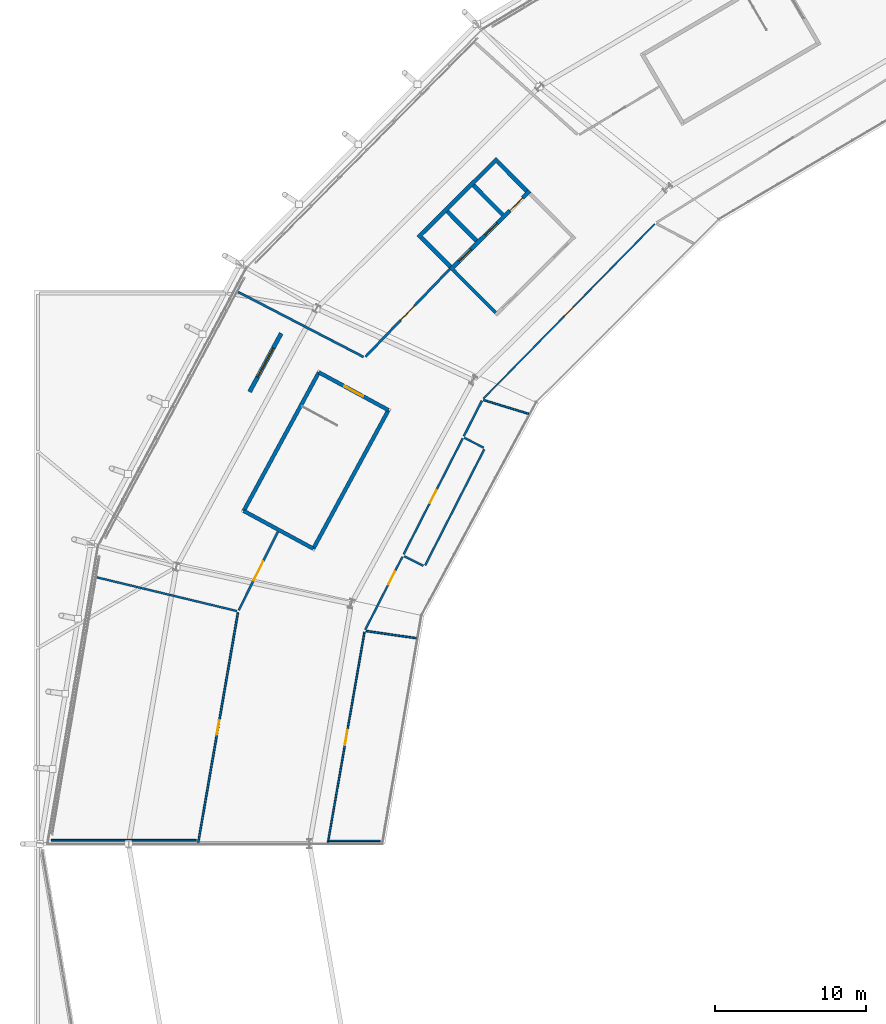
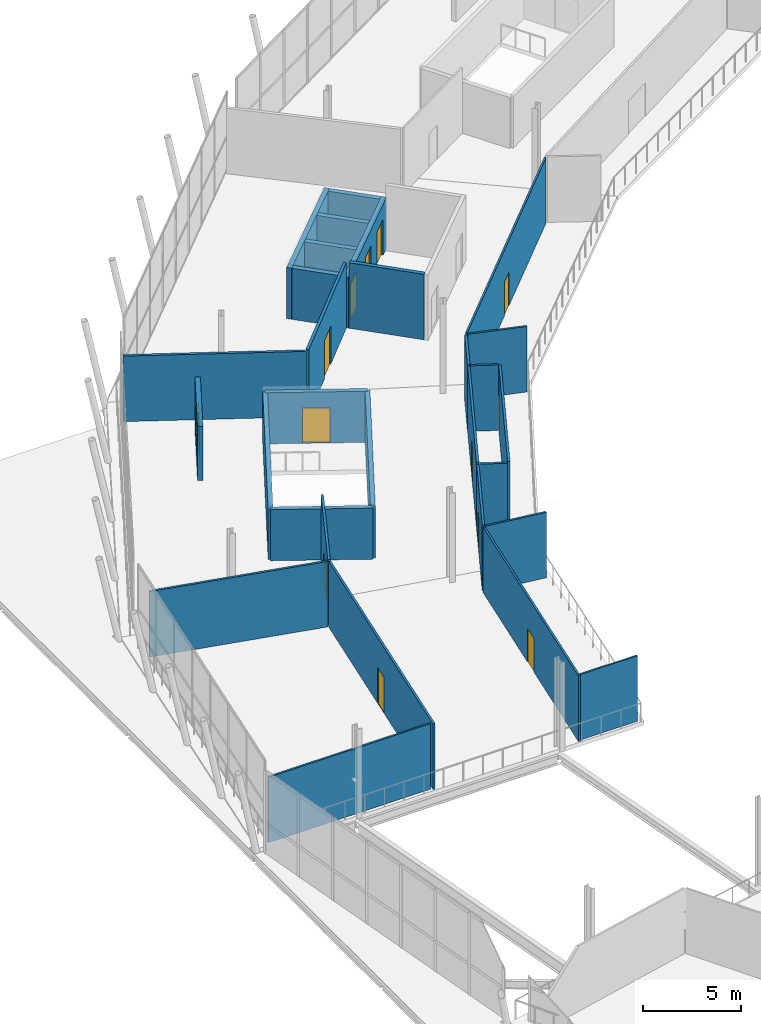
# One storey, part 85 of 99: 29 walls, 11 doors, 1 window, 12 openings.
"""IFC4 building model written with IfcOpenShell, lengths in metres."""

from ifc_helpers import new_model, si_unit, direction, frame, frame_2d, origin, place, context, subcontext, project, spatial, rectangle, extrude, material, layer, layer_set, type_object, element, fill, save


model = new_model("IFC4")

# Units and contexts
model_context = context("Model", 3, precision=1e-05, world=origin(), true_north=direction((0.0, 1.0)))
body_context = subcontext(model_context, "Body", "Model", "MODEL_VIEW")
ifc_project = project(units=[si_unit("LENGTHUNIT", "METRE"), si_unit("AREAUNIT", "SQUARE_METRE"), si_unit("VOLUMEUNIT", "CUBIC_METRE"), si_unit("PLANEANGLEUNIT", "RADIAN"), si_unit("MASSUNIT", "GRAM", prefix="KILO")], contexts=[model_context])

# Site, building, storey
site_placement = place(None, origin())
site = spatial("IfcSite", under=ifc_project, at=site_placement, CompositionType="ELEMENT")
building_placement = place(site_placement, origin())
building = spatial("IfcBuilding", under=site, at=building_placement, Name="Zlatoyarsky Gate Stadium", CompositionType="ELEMENT")
storey_placement = place(building_placement, frame((0.0, 0.0, 26.199951171875)))
storey = spatial("IfcBuildingStorey", under=building, at=storey_placement, Name="L05", CompositionType="ELEMENT", Elevation=26.199951171875)

# Walls
ifc_material_1 = material(Name="Anodised aluminium acoustic operable wall", Category="aluminium")
ifc_layer_1 = layer(ifc_material_1, 0.114990234375)
ifc_layer_set_1 = layer_set([ifc_layer_1], Name="Anodised aluminium acoustic operable wall")
wall_type_1 = type_object("IfcWallType", Name="ACOUSTIC OPERABLE SUITE WALL 115", PredefinedType="MOVABLE", material=ifc_layer_set_1)
wall_1_placement = place(storey_placement, frame((44.51806640625, 108.5224609375, 0.0), z_axis=(0.0, 0.0, 1.0), x_axis=(-0.95606504964, 0.293154602313, 0.0)))
element("IfcWall", 1, at=wall_1_placement, inside=storey, type_object=wall_type_1, Name="L05 interior partition PRT-L05-IRD-10", PredefinedType="MOVABLE", context=body_context, shape_type="SweptSolid", body=[
    extrude(rectangle(XDim=3.11376953125, YDim=0.114990234375, at=frame_2d((1.556884765625, 0.0))), origin(), (0.0, 0.0, 1.0), 4.10009765625),
])
ifc_material_2 = material(Name="Moisture-resistant masonry partition", Category="masonry")
ifc_layer_2 = layer(ifc_material_2, 0.139892578125)
ifc_layer_set_2 = layer_set([ifc_layer_2], Name="Moisture-resistant masonry partition")
wall_type_2 = type_object("IfcWallType", Name="ATHLETE CHANGING BLOCK PARTITION 140", PredefinedType="PARTITIONING", material=ifc_layer_set_2)
wall_2_placement = place(storey_placement, frame((41.421142578125, 109.384521484375, 0.0), z_axis=(0.0, 0.0, 1.0), x_axis=(-0.45373665461, -0.891135819201, 0.0)))
element("IfcWall", 2, at=wall_2_placement, inside=storey, type_object=wall_type_2, Name="L05 interior partition PRT-L05-WCL-10", PredefinedType="PARTITIONING", context=body_context, shape_type="SweptSolid", body=[
    extrude(rectangle(XDim=2.630126953125, YDim=0.139892578125, at=frame_2d((1.31494140625, 0.0))), origin(), (0.0, 0.0, 1.0), 4.10009765625),
])

# Wall, opening, door
wall_3_placement = place(storey_placement, frame((27.89794921875, 100.7060546875, 0.0), z_axis=(0.0, 0.0, 1.0), x_axis=(-0.44637403409, -0.894846479397, 0.0)))
wall_3 = element("IfcWall", 3, at=wall_3_placement, inside=storey, type_object=wall_type_2, Name="L05 interior partition PRT-L05-OCC-10-1", PredefinedType="PARTITIONING", context=body_context, shape_type="SweptSolid", body=[
    extrude(rectangle(XDim=5.8173828125, YDim=0.139892578125, at=frame_2d((2.90869140625, 0.0))), origin(), (0.0, 0.0, 1.0), 4.10009765625),
])
opening_1_placement = place(wall_3_placement, frame((2.188720703125, 0.0, 0.0)))
opening_1 = element("IfcOpeningElement", 4, at=opening_1_placement, cuts=wall_3, Name="Opening D-L05-683", PredefinedType="OPENING", context=body_context, shape_type="SweptSolid", body=[
    extrude(rectangle(XDim=1.43994140625, YDim=2.10009765625, at=frame_2d((0.719970703125, 1.050048828125))), frame((0.0, 0.079833984375, 0.0), z_axis=(0.0, -1.0, 0.0), x_axis=(1.0, 0.0, 0.0)), (0.0, 0.0, 1.0), 0.159912109375),
])
ifc_material_3 = material(Name="Powder-coated steel fire door", Category="steel")
door_type_1 = type_object("IfcDoorType", Name="ACOUSTIC INTERIOR DOOR 1440X2100", OperationType="NOTDEFINED", PredefinedType="DOOR", material=ifc_material_3)
door_1_placement = place(opening_1_placement, origin())
door_1 = element("IfcDoor", 5, at=door_1_placement, inside=storey, type_object=door_type_1, Name="L05 room door D-L05-683", OperationType="SINGLE_SWING_LEFT", OverallHeight=2.10009765625, OverallWidth=1.43994140625, PredefinedType="DOOR", context=body_context, shape_type="SweptSolid", body=[
    extrude(rectangle(XDim=1.43994140625, YDim=2.10009765625, at=frame_2d((0.719970703125, 1.050048828125))), frame((0.0, 0.02490234375, 0.0), z_axis=(0.0, -1.0, 0.0), x_axis=(1.0, 0.0, 0.0)), (0.0, 0.0, 1.0), 0.050048828125),
])
fill(opening_1, door_1)

# Walls
ifc_material_4 = material(Name="Metal-stud gypsum partition", Category="gypsum")
ifc_layer_3 = layer(ifc_material_4, 0.14990234375)
ifc_layer_set_3 = layer_set([ifc_layer_3], Name="Metal-stud gypsum partition")
wall_type_3 = type_object("IfcWallType", Name="CONCOURSE CORRIDOR PARTITION 150", PredefinedType="PARTITIONING", material=ifc_layer_set_3)
wall_4_placement = place(storey_placement, frame((33.580078125, 112.289306640625, 0.0), z_axis=(0.0, 0.0, 1.0), x_axis=(-0.887845749373, 0.460141201502, 0.0)))
element("IfcWall", 6, at=wall_4_placement, inside=storey, type_object=wall_type_3, Name="L05 interior partition PRT-L05-ORD-09R", PredefinedType="PARTITIONING", context=body_context, shape_type="SweptSolid", body=[
    extrude(rectangle(XDim=9.355712890625, YDim=0.14990234375, at=frame_2d((4.677734375, 0.0))), origin(), (0.0, 0.0, 1.0), 4.10009765625),
])
ifc_material_5 = material(Name="Concrete C40/50", Category="concrete")
ifc_layer_4 = layer(ifc_material_5, 0.27001953125)
ifc_layer_set_4 = layer_set([ifc_layer_4], Name="Concrete C40/50")
wall_type_4 = type_object("IfcWallType", Name="CONCRETE LIFT SHAFT SHEAR WALL 270", PredefinedType="SHEAR", material=ifc_layer_set_4)
wall_5_placement = place(storey_placement, frame((42.452880859375, 125.443603515625, 0.0), z_axis=(0.0, 0.0, 1.0), x_axis=(-0.708902567846, -0.705306422274, 0.0)))
element("IfcWall", 7, at=wall_5_placement, inside=storey, type_object=wall_type_4, Name="C2 L05 lift shaft rear wall", PredefinedType="SHEAR", context=body_context, shape_type="SweptSolid", body=[
    extrude(rectangle(XDim=7.39990234375, YDim=0.27001953125, at=frame_2d((3.699951171875, 0.0))), origin(), (0.0, 0.0, 1.0), 3.199951171875),
])
for number, where, z_axis, x_axis, name in (
    (8, (42.45947265625, 125.24560546875, 0.0), (0.0, 0.0, 1.0), (0.705322518225, -0.708886553183, 0.0), "C2 L05 lift shaft left wall"),
    (9, (37.405029296875, 120.216796875, 0.0), (0.0, 0.0, 1.0), (0.705322518225, -0.708886553183, 0.0), "C2 L05 lift shaft right wall"),
    (10, (40.87158203125, 123.665771484375, 0.0), (0.0, 0.0, 1.0), (0.705322518225, -0.708886553183, 0.0), "C2 L05 lift shaft divider 1"),
    (11, (39.134765625, 121.937744140625, 0.0), (0.0, 0.0, 1.0), (0.705322518225, -0.708886553183, 0.0), "C2 L05 lift shaft divider 2"),
):
    element("IfcWall", number, at=place(storey_placement, frame(where, z_axis=z_axis, x_axis=x_axis)), inside=storey, type_object=wall_type_4, Name=name, PredefinedType="SHEAR", context=body_context, shape_type="SweptSolid", body=[
        extrude(rectangle(XDim=2.739990234375, YDim=0.27001953125, at=frame_2d((1.3701171875, 0.0))), origin(), (0.0, 0.0, 1.0), 3.199951171875),
    ])

# Wall, openings, doors
wall_6_placement = place(storey_placement, frame((44.590087890625, 123.295654296875, 0.0), z_axis=(0.0, 0.0, 1.0), x_axis=(-0.708918979457, -0.705289926602, 0.0)))
wall_6 = element("IfcWall", 12, at=wall_6_placement, inside=storey, type_object=wall_type_4, Name="C2 L05 lift landing front wall", PredefinedType="SHEAR", context=body_context, shape_type="SweptSolid", body=[
    extrude(rectangle(XDim=7.400146484375, YDim=0.27001953125, at=frame_2d((3.7001953125, 0.0))), origin(), (0.0, 0.0, 1.0), 3.199951171875),
])
opening_2_placement = place(wall_6_placement, frame((0.64990234375, 0.0, 0.0)))
opening_2 = element("IfcOpeningElement", 13, at=opening_2_placement, cuts=wall_6, Name="Opening LD-FL-02-L05", PredefinedType="OPENING", context=body_context, shape_type="SweptSolid", body=[
    extrude(rectangle(XDim=1.199951171875, YDim=2.25, at=frame_2d((0.60009765625, 1.125))), frame((0.0, 0.14501953125, 0.0), z_axis=(0.0, -1.0, 0.0), x_axis=(1.0, 0.0, 0.0)), (0.0, 0.0, 1.0), 0.2900390625),
])
opening_3_placement = place(wall_6_placement, frame((3.050048828125, 0.0, 0.0)))
opening_3 = element("IfcOpeningElement", 14, at=opening_3_placement, cuts=wall_6, Name="Opening LD-LF-03-L05", PredefinedType="OPENING", context=body_context, shape_type="SweptSolid", body=[
    extrude(rectangle(XDim=1.10009765625, YDim=2.199951171875, at=frame_2d((0.550048828125, 1.10009765625))), frame((0.0, 0.14501953125, 0.0), z_axis=(0.0, -1.0, 0.0), x_axis=(1.0, 0.0, 0.0)), (0.0, 0.0, 1.0), 0.2900390625),
])
opening_4_placement = place(wall_6_placement, frame((5.5, 0.0, 0.0)))
opening_4 = element("IfcOpeningElement", 15, at=opening_4_placement, cuts=wall_6, Name="Opening LD-LF-04-L05", PredefinedType="OPENING", context=body_context, shape_type="SweptSolid", body=[
    extrude(rectangle(XDim=1.10009765625, YDim=2.199951171875, at=frame_2d((0.550048828125, 1.10009765625))), frame((0.0, 0.14501953125, 0.0), z_axis=(0.0, -1.0, 0.0), x_axis=(1.0, 0.0, 0.0)), (0.0, 0.0, 1.0), 0.2900390625),
])
door_type_2 = type_object("IfcDoorType", Name="STAINLESS LIFT LANDING SLIDING DOOR 1100X2200", OperationType="DOUBLE_DOOR_SLIDING", PredefinedType="DOOR", material=ifc_material_3)
door_2_placement = place(opening_3_placement, origin())
door_2 = element("IfcDoor", 16, at=door_2_placement, inside=storey, type_object=door_type_2, Name="Lift LF-03 L05 sliding landing door", OperationType="DOUBLE_DOOR_SLIDING", OverallHeight=2.199951171875, OverallWidth=1.10009765625, PredefinedType="DOOR", context=body_context, shape_type="SweptSolid", body=[
    extrude(rectangle(XDim=1.10009765625, YDim=2.199951171875, at=frame_2d((0.550048828125, 1.10009765625))), frame((0.0, 0.02490234375, 0.0), z_axis=(0.0, -1.0, 0.0), x_axis=(1.0, 0.0, 0.0)), (0.0, 0.0, 1.0), 0.050048828125),
])
fill(opening_3, door_2)
door_3_placement = place(opening_4_placement, origin())
door_3 = element("IfcDoor", 17, at=door_3_placement, inside=storey, type_object=door_type_2, Name="Lift LF-04 L05 sliding landing door", OperationType="DOUBLE_DOOR_SLIDING", OverallHeight=2.199951171875, OverallWidth=1.10009765625, PredefinedType="DOOR", context=body_context, shape_type="SweptSolid", body=[
    extrude(rectangle(XDim=1.10009765625, YDim=2.199951171875, at=frame_2d((0.550048828125, 1.10009765625))), frame((0.0, 0.02490234375, 0.0), z_axis=(0.0, -1.0, 0.0), x_axis=(1.0, 0.0, 0.0)), (0.0, 0.0, 1.0), 0.050048828125),
])
fill(opening_4, door_3)
door_type_3 = type_object("IfcDoorType", Name="STAINLESS LIFT LANDING SLIDING DOOR 1200X2250", OperationType="DOUBLE_DOOR_SLIDING", PredefinedType="DOOR", material=ifc_material_3)
door_4_placement = place(opening_2_placement, origin())
door_4 = element("IfcDoor", 18, at=door_4_placement, inside=storey, type_object=door_type_3, Name="Lift FL-02 L05 sliding landing door", OperationType="DOUBLE_DOOR_SLIDING", OverallHeight=2.25, OverallWidth=1.199951171875, PredefinedType="DOOR", context=body_context, shape_type="SweptSolid", body=[
    extrude(rectangle(XDim=1.199951171875, YDim=2.25, at=frame_2d((0.60009765625, 1.125))), frame((0.0, 0.02490234375, 0.0), z_axis=(0.0, -1.0, 0.0), x_axis=(1.0, 0.0, 0.0)), (0.0, 0.0, 1.0), 0.050048828125),
])
fill(opening_2, door_4)

# Wall, opening, door
ifc_layer_5 = layer(ifc_material_5, 0.25)
ifc_layer_set_5 = layer_set([ifc_layer_5], Name="Concrete C40/50")
wall_type_5 = type_object("IfcWallType", Name="CONCRETE STAIR CORE SHEAR WALL 250", PredefinedType="SHEAR", material=ifc_layer_set_5)
wall_7_placement = place(storey_placement, frame((35.229736328125, 108.764892578125, 0.0), z_axis=(0.0, 0.0, 1.0), x_axis=(-0.878941993928, 0.476928685769, 0.0)))
wall_7 = element("IfcWall", 19, at=wall_7_placement, inside=storey, type_object=wall_type_5, Name="ST-06 L05 stair core entrance shear wall", PredefinedType="SHEAR", context=body_context, shape_type="SweptSolid", body=[
    extrude(rectangle(XDim=5.25, YDim=0.25, at=frame_2d((2.625, 0.0))), origin(), (0.0, 0.0, 1.0), 3.199951171875),
])
opening_5_placement = place(wall_7_placement, frame((1.925048828125, 0.0, 0.0)))
opening_5 = element("IfcOpeningElement", 20, at=opening_5_placement, cuts=wall_7, Name="Opening SD-ST-06-L05", PredefinedType="OPENING", context=body_context, shape_type="SweptSolid", body=[
    extrude(rectangle(XDim=1.39990234375, YDim=2.199951171875, at=frame_2d((0.699951171875, 1.10009765625))), frame((0.0, 0.135009765625, 0.0), z_axis=(0.0, -1.0, 0.0), x_axis=(1.0, 0.0, 0.0)), (0.0, 0.0, 1.0), 0.27001953125),
])
door_type_4 = type_object("IfcDoorType", Name="STAIR CORE FIRE EXIT DOOR 1400X2200", OperationType="NOTDEFINED", PredefinedType="DOOR", material=ifc_material_3)
door_5_placement = place(opening_5_placement, frame((1.39990234375, 0.0, 0.0), z_axis=(0.0, 0.0, 1.0), x_axis=(-1.0, 0.0, 0.0)))
door_5 = element("IfcDoor", 21, at=door_5_placement, inside=storey, type_object=door_type_4, Name="ST-06 L05 stair fire door", OperationType="SINGLE_SWING_RIGHT", OverallHeight=2.199951171875, OverallWidth=1.39990234375, PredefinedType="DOOR", context=body_context, shape_type="SweptSolid", body=[
    extrude(rectangle(XDim=1.39990234375, YDim=2.199951171875, at=frame_2d((0.699951171875, 1.10009765625))), frame((0.0, 0.02490234375, 0.0), z_axis=(0.0, -1.0, 0.0), x_axis=(1.0, 0.0, 0.0)), (0.0, 0.0, 1.0), 0.050048828125),
])
fill(opening_5, door_5)

# Walls
wall_8_placement = place(storey_placement, frame((30.615234375, 111.268798828125, 0.0), z_axis=(0.0, 0.0, 1.0), x_axis=(-0.476876856974, -0.878970115125, 0.0)))
element("IfcWall", 22, at=wall_8_placement, inside=storey, type_object=wall_type_5, Name="ST-06 L05 stair core left shear wall", PredefinedType="SHEAR", context=body_context, shape_type="SweptSolid", body=[
    extrude(rectangle(XDim=10.4501953125, YDim=0.25, at=frame_2d((5.22509765625, 0.0))), origin(), (0.0, 0.0, 1.0), 3.199951171875),
])
wall_9_placement = place(storey_placement, frame((25.6318359375, 102.08349609375, 0.0), z_axis=(0.0, 0.0, 1.0), x_axis=(0.878961487093, -0.47689275965, 0.0)))
element("IfcWall", 23, at=wall_9_placement, inside=storey, type_object=wall_type_5, Name="ST-06 L05 stair core far shear wall", PredefinedType="SHEAR", context=body_context, shape_type="SweptSolid", body=[
    extrude(rectangle(XDim=5.25, YDim=0.25, at=frame_2d((2.625, 0.0))), origin(), (0.0, 0.0, 1.0), 3.199951171875),
])
wall_10_placement = place(storey_placement, frame((30.246337890625, 99.579833984375, 0.0), z_axis=(0.0, 0.0, 1.0), x_axis=(0.476886649814, 0.878964802042, 0.0)))
element("IfcWall", 24, at=wall_10_placement, inside=storey, type_object=wall_type_5, Name="ST-06 L05 stair core right shear wall", PredefinedType="SHEAR", context=body_context, shape_type="SweptSolid", body=[
    extrude(rectangle(XDim=10.449951171875, YDim=0.25, at=frame_2d((5.22509765625, 0.0))), origin(), (0.0, 0.0, 1.0), 3.199951171875),
])
ifc_material_6 = material(Name="Autoclaved aerated concrete masonry EI 120", Category="masonry")
ifc_layer_6 = layer(ifc_material_6, 0.219970703125)
ifc_layer_set_6 = layer_set([ifc_layer_6], Name="Autoclaved aerated concrete masonry EI 120")
wall_type_6 = type_object("IfcWallType", Name="FIREFIGHTING LOBBY RATED WALL 220", PredefinedType="PARTITIONING", material=ifc_layer_set_6)
wall_11_placement = place(storey_placement, frame((39.531494140625, 118.044189453125, 0.0), z_axis=(0.0, 0.0, 1.0), x_axis=(0.705294916294, -0.708914015273, 0.0)))
element("IfcWall", 25, at=wall_11_placement, inside=storey, type_object=wall_type_6, Name="C2 L05 firefighting lobby right wall", PredefinedType="PARTITIONING", context=body_context, shape_type="SweptSolid", body=[
    extrude(rectangle(XDim=3.97998046875, YDim=0.219970703125, at=frame_2d((1.989990234375, 0.0))), origin(), (0.0, 0.0, 1.0), 4.10009765625),
])

# Wall, opening, door
ifc_material_7 = material(Name="Acoustic metal-stud gypsum partition", Category="gypsum")
ifc_layer_7 = layer(ifc_material_7, 0.159912109375)
ifc_layer_set_7 = layer_set([ifc_layer_7], Name="Acoustic metal-stud gypsum partition")
wall_type_7 = type_object("IfcWallType", Name="HOSPITALITY SUITE PARTITION 160", PredefinedType="PARTITIONING", material=ifc_layer_set_7)
wall_12_placement = place(storey_placement, frame((39.294921875, 118.118896484375, 0.0), z_axis=(0.0, 0.0, 1.0), x_axis=(-0.692855454803, -0.721076499928, 0.0)))
wall_12 = element("IfcWall", 26, at=wall_12_placement, inside=storey, type_object=wall_type_7, Name="L05 interior partition PRT-L05-OCC-09-1", PredefinedType="PARTITIONING", context=body_context, shape_type="SweptSolid", body=[
    extrude(rectangle(XDim=8.05419921875, YDim=0.159912109375, at=frame_2d((4.027099609375, 0.0))), origin(), (0.0, 0.0, 1.0), 4.10009765625),
])
opening_6_placement = place(wall_12_placement, frame((3.35693359375, 0.0, 0.0)))
opening_6 = element("IfcOpeningElement", 27, at=opening_6_placement, cuts=wall_12, Name="Opening D-L05-681", PredefinedType="OPENING", context=body_context, shape_type="SweptSolid", body=[
    extrude(rectangle(XDim=1.340087890625, YDim=2.3798828125, at=frame_2d((0.669921875, 1.18994140625))), frame((0.0, 0.08984375, 0.0), z_axis=(0.0, -1.0, 0.0), x_axis=(1.0, 0.0, 0.0)), (0.0, 0.0, 1.0), 0.179931640625),
])
door_type_5 = type_object("IfcDoorType", Name="ACOUSTIC INTERIOR DOOR 1340X2380", OperationType="NOTDEFINED", PredefinedType="DOOR", material=ifc_material_3)
door_6_placement = place(opening_6_placement, origin())
door_6 = element("IfcDoor", 28, at=door_6_placement, inside=storey, type_object=door_type_5, Name="L05 room door D-L05-681", OperationType="SINGLE_SWING_RIGHT", OverallHeight=2.3798828125, OverallWidth=1.340087890625, PredefinedType="DOOR", context=body_context, shape_type="SweptSolid", body=[
    extrude(rectangle(XDim=1.340087890625, YDim=2.3798828125, at=frame_2d((0.669921875, 1.18994140625))), frame((0.0, 0.02490234375, 0.0), z_axis=(0.0, -1.0, 0.0), x_axis=(1.0, 0.0, 0.0)), (0.0, 0.0, 1.0), 0.050048828125),
])
fill(opening_6, door_6)

# Wall, opening, window
ifc_material_8 = material(Name="Precast concrete C40/50 architectural panel", Category="concrete")
ifc_layer_8 = layer(ifc_material_8, 0.280029296875)
ifc_layer_set_8 = layer_set([ifc_layer_8], Name="Precast concrete C40/50 architectural panel")
wall_type_8 = type_object("IfcWallType", Name="INSULATED WING SPANDREL WALL 280", PredefinedType="STANDARD", material=ifc_layer_set_8)
wall_13_placement = place(storey_placement, frame((28.116943359375, 113.8515625, 0.0), z_axis=(0.0, 0.0, 1.0), x_axis=(-0.475353389394, -0.879794950651, 0.0)))
wall_13 = element("IfcWall", 29, at=wall_13_placement, inside=storey, type_object=wall_type_8, Name="L05 clerestory lantern wall 04", PredefinedType="STANDARD", context=body_context, shape_type="SweptSolid", body=[
    extrude(rectangle(XDim=4.39990234375, YDim=0.280029296875, at=frame_2d((2.199951171875, 0.0))), origin(), (0.0, 0.0, 1.0), 3.400146484375),
])
opening_7_placement = place(wall_13_placement, frame((1.10009765625, 0.0, 0.800048828125)))
opening_7 = element("IfcOpeningElement", 30, at=opening_7_placement, cuts=wall_13, Name="Opening SK-04", PredefinedType="OPENING", context=body_context, shape_type="SweptSolid", body=[
    extrude(rectangle(XDim=2.199951171875, YDim=1.75, at=frame_2d((1.10009765625, 0.875))), frame((0.0, 0.14990234375, 0.0), z_axis=(0.0, -1.0, 0.0), x_axis=(1.0, 0.0, 0.0)), (0.0, 0.0, 1.0), 0.300048828125),
])
ifc_material_9 = material(Name="Triple-glazed thermally broken aluminium skylight", Category="aluminium")
window_type = type_object("IfcWindowType", Name="INSULATED ROOF SMOKE VENT SKYLIGHT 2200X1750", PartitioningType="SINGLE_PANEL", PredefinedType="SKYLIGHT", material=ifc_material_9)
window_placement = place(opening_7_placement, origin())
window = element("IfcWindow", 31, at=window_placement, inside=storey, type_object=window_type, Name="Clerestory smoke vent skylight SKY-04", OverallHeight=1.75, OverallWidth=2.199951171875, PartitioningType="SINGLE_PANEL", PredefinedType="SKYLIGHT", context=body_context, shape_type="SweptSolid", body=[
    extrude(rectangle(XDim=2.199951171875, YDim=1.75, at=frame_2d((1.10009765625, 0.875))), frame((0.0, 0.030029296875, 0.0), z_axis=(0.0, -1.0, 0.0), x_axis=(1.0, 0.0, 0.0)), (0.0, 0.0, 1.0), 0.06005859375),
])
fill(opening_7, window)

# Wall, opening, door
ifc_layer_9 = layer(ifc_material_4, 0.110107421875)
ifc_layer_set_9 = layer_set([ifc_layer_9], Name="Metal-stud gypsum partition")
wall_type_9 = type_object("IfcWallType", Name="KIOSK SERVICE PARTITION 110", PredefinedType="PARTITIONING", material=ifc_layer_set_9)
wall_14_placement = place(storey_placement, frame((33.639404296875, 94.0478515625, 0.0), z_axis=(0.0, 0.0, 1.0), x_axis=(-0.171085280964, -0.985256223851, 0.0)))
wall_14 = element("IfcWall", 32, at=wall_14_placement, inside=storey, type_object=wall_type_9, Name="L05 interior partition PRT-L05-ICC-11", PredefinedType="PARTITIONING", context=body_context, shape_type="SweptSolid", body=[
    extrude(rectangle(XDim=14.173095703125, YDim=0.110107421875, at=frame_2d((7.08642578125, 0.0))), origin(), (0.0, 0.0, 1.0), 4.10009765625),
])
opening_8_placement = place(wall_14_placement, frame((6.576416015625, 0.0, 0.0)))
opening_8 = element("IfcOpeningElement", 33, at=opening_8_placement, cuts=wall_14, Name="Opening D-L05-636", PredefinedType="OPENING", context=body_context, shape_type="SweptSolid", body=[
    extrude(rectangle(XDim=1.02001953125, YDim=2.10009765625, at=frame_2d((0.510009765625, 1.050048828125))), frame((0.0, 0.06494140625, 0.0), z_axis=(0.0, -1.0, 0.0), x_axis=(1.0, 0.0, 0.0)), (0.0, 0.0, 1.0), 0.130126953125),
])
ifc_material_10 = material(Name="Solid-core oak veneer acoustic door", Category="wood")
door_type_6 = type_object("IfcDoorType", Name="ACOUSTIC INTERIOR DOOR 1020X2100", OperationType="NOTDEFINED", PredefinedType="DOOR", material=ifc_material_10)
door_7_placement = place(opening_8_placement, origin())
door_7 = element("IfcDoor", 34, at=door_7_placement, inside=storey, type_object=door_type_6, Name="L05 room door D-L05-636", OperationType="SINGLE_SWING_LEFT", OverallHeight=2.10009765625, OverallWidth=1.02001953125, PredefinedType="DOOR", context=body_context, shape_type="SweptSolid", body=[
    extrude(rectangle(XDim=1.02001953125, YDim=2.10009765625, at=frame_2d((0.510009765625, 1.050048828125))), frame((0.0, 0.02490234375, 0.0), z_axis=(0.0, -1.0, 0.0), x_axis=(1.0, 0.0, 0.0)), (0.0, 0.0, 1.0), 0.050048828125),
])
fill(opening_8, door_7)

# Wall
wall_15_placement = place(storey_placement, frame((22.472412109375, 80.246337890625, 0.0), z_axis=(0.0, 0.0, 1.0), x_axis=(-0.999999999677, 2.5411669e-05, 0.0)))
element("IfcWall", 35, at=wall_15_placement, inside=storey, type_object=wall_type_9, Name="L05 interior partition PRT-L05-ORD-11R", PredefinedType="PARTITIONING", context=body_context, shape_type="SweptSolid", body=[
    extrude(rectangle(XDim=9.607421875, YDim=0.110107421875, at=frame_2d((4.8037109375, 0.0))), origin(), (0.0, 0.0, 1.0), 4.10009765625),
])

# Wall, opening, door
ifc_layer_10 = layer(ifc_material_4, 0.10009765625)
ifc_layer_set_10 = layer_set([ifc_layer_10], Name="Metal-stud gypsum partition")
wall_type_10 = type_object("IfcWallType", Name="LIGHT STORAGE PARTITION 100", PredefinedType="PARTITIONING", material=ifc_layer_set_10)
wall_16_placement = place(storey_placement, frame((52.877197265625, 121.102783203125, 0.0), z_axis=(0.0, 0.0, 1.0), x_axis=(-0.700172522452, -0.713973696157, 0.0)))
wall_16 = element("IfcWall", 36, at=wall_16_placement, inside=storey, type_object=wall_type_10, Name="L05 interior partition PRT-L05-ICC-09", PredefinedType="PARTITIONING", context=body_context, shape_type="SweptSolid", body=[
    extrude(rectangle(XDim=16.2216796875, YDim=0.10009765625, at=frame_2d((8.11083984375, 0.0))), origin(), (0.0, 0.0, 1.0), 4.10009765625),
])
opening_9_placement = place(wall_16_placement, frame((7.660888671875, 0.0, 0.0)))
opening_9 = element("IfcOpeningElement", 37, at=opening_9_placement, cuts=wall_16, Name="Opening D-L05-627", PredefinedType="OPENING", context=body_context, shape_type="SweptSolid", body=[
    extrude(rectangle(XDim=0.89990234375, YDim=2.10009765625, at=frame_2d((0.449951171875, 1.050048828125))), frame((0.0, 0.06005859375, 0.0), z_axis=(0.0, -1.0, 0.0), x_axis=(1.0, 0.0, 0.0)), (0.0, 0.0, 1.0), 0.1201171875),
])
door_type_7 = type_object("IfcDoorType", Name="ACOUSTIC INTERIOR DOOR 900X2100", OperationType="NOTDEFINED", PredefinedType="DOOR", material=ifc_material_10)
door_8_placement = place(opening_9_placement, origin())
door_8 = element("IfcDoor", 38, at=door_8_placement, inside=storey, type_object=door_type_7, Name="L05 room door D-L05-627", OperationType="SINGLE_SWING_RIGHT", OverallHeight=2.10009765625, OverallWidth=0.89990234375, PredefinedType="DOOR", context=body_context, shape_type="SweptSolid", body=[
    extrude(rectangle(XDim=0.89990234375, YDim=2.10009765625, at=frame_2d((0.449951171875, 1.050048828125))), frame((0.0, 0.02490234375, 0.0), z_axis=(0.0, -1.0, 0.0), x_axis=(1.0, 0.0, 0.0)), (0.0, 0.0, 1.0), 0.050048828125),
])
fill(opening_9, door_8)

# Walls
wall_17_placement = place(storey_placement, frame((34.701171875, 80.197021484375, 0.0), z_axis=(0.0, 0.0, 1.0), x_axis=(-1.0, 0.0, 0.0)))
element("IfcWall", 39, at=wall_17_placement, inside=storey, type_object=wall_type_10, Name="L05 interior partition PRT-L05-IRD-12E", PredefinedType="PARTITIONING", context=body_context, shape_type="SweptSolid", body=[
    extrude(rectangle(XDim=3.450439453125, YDim=0.10009765625, at=frame_2d((1.72509765625, 0.0))), origin(), (0.0, 0.0, 1.0), 4.10009765625),
])
ifc_layer_11 = layer(ifc_material_4, 0.1201171875)
ifc_layer_set_11 = layer_set([ifc_layer_11], Name="Metal-stud gypsum partition")
wall_type_11 = type_object("IfcWallType", Name="OFFICE AND PRESS PARTITION 120", PredefinedType="PARTITIONING", material=ifc_layer_set_11)
wall_18_placement = place(storey_placement, frame((37.070068359375, 93.645751953125, 0.0), z_axis=(0.0, 0.0, 1.0), x_axis=(-0.99004790937, 0.140730725687, 0.0)))
element("IfcWall", 40, at=wall_18_placement, inside=storey, type_object=wall_type_11, Name="L05 interior partition PRT-L05-IRD-11", PredefinedType="PARTITIONING", context=body_context, shape_type="SweptSolid", body=[
    extrude(rectangle(XDim=3.365478515625, YDim=0.1201171875, at=frame_2d((1.6826171875, 0.0))), origin(), (0.0, 0.0, 1.0), 4.10009765625),
])

# Wall, opening, door
wall_19_placement = place(storey_placement, frame((25.248779296875, 95.340576171875, 0.0), z_axis=(0.0, 0.0, 1.0), x_axis=(-0.170144534954, -0.985419117546, 0.0)))
wall_19 = element("IfcWall", 41, at=wall_19_placement, inside=storey, type_object=wall_type_11, Name="L05 interior partition PRT-L05-OCC-11-1", PredefinedType="PARTITIONING", context=body_context, shape_type="SweptSolid", body=[
    extrude(rectangle(XDim=15.482666015625, YDim=0.1201171875, at=frame_2d((7.7412109375, 0.0))), origin(), (0.0, 0.0, 1.0), 4.10009765625),
])
opening_10_placement = place(wall_19_placement, frame((7.26123046875, 0.0, 0.0)))
opening_10 = element("IfcOpeningElement", 42, at=opening_10_placement, cuts=wall_19, Name="Opening D-L05-685", PredefinedType="OPENING", context=body_context, shape_type="SweptSolid", body=[
    extrude(rectangle(XDim=0.9599609375, YDim=2.239990234375, at=frame_2d((0.47998046875, 1.1201171875))), frame((0.0, 0.070068359375, 0.0), z_axis=(0.0, -1.0, 0.0), x_axis=(1.0, 0.0, 0.0)), (0.0, 0.0, 1.0), 0.14013671875),
])
door_type_8 = type_object("IfcDoorType", Name="ACOUSTIC INTERIOR DOOR 960X2240", OperationType="NOTDEFINED", PredefinedType="DOOR", material=ifc_material_10)
door_9_placement = place(opening_10_placement, origin())
door_9 = element("IfcDoor", 43, at=door_9_placement, inside=storey, type_object=door_type_8, Name="L05 room door D-L05-685", OperationType="SINGLE_SWING_RIGHT", OverallHeight=2.239990234375, OverallWidth=0.9599609375, PredefinedType="DOOR", context=body_context, shape_type="SweptSolid", body=[
    extrude(rectangle(XDim=0.9599609375, YDim=2.239990234375, at=frame_2d((0.47998046875, 1.1201171875))), frame((0.0, 0.02490234375, 0.0), z_axis=(0.0, -1.0, 0.0), x_axis=(1.0, 0.0, 0.0)), (0.0, 0.0, 1.0), 0.050048828125),
])
fill(opening_10, door_9)

ifc_material_11 = material(Name="Moisture-resistant tile-backed partition", Category="gypsum")
ifc_layer_12 = layer(ifc_material_11, 0.1298828125)
ifc_layer_set_12 = layer_set([ifc_layer_12], Name="Moisture-resistant tile-backed partition")
wall_type_12 = type_object("IfcWallType", Name="SANITARY WET ROOM PARTITION 130", PredefinedType="PARTITIONING", material=ifc_layer_set_12)
wall_20_placement = place(storey_placement, frame((40.150390625, 106.889404296875, 0.0), z_axis=(0.0, 0.0, 1.0), x_axis=(-0.453742271023, -0.891132959488, 0.0)))
wall_20 = element("IfcWall", 44, at=wall_20_placement, inside=storey, type_object=wall_type_12, Name="L05 interior partition PRT-L05-WC10-F", PredefinedType="PARTITIONING", context=body_context, shape_type="SweptSolid", body=[
    extrude(rectangle(XDim=8.6298828125, YDim=0.1298828125, at=frame_2d((4.31494140625, 0.0))), origin(), (0.0, 0.0, 1.0), 4.10009765625),
])
opening_11_placement = place(wall_20_placement, frame((3.8349609375, 0.0, 0.0)))
opening_11 = element("IfcOpeningElement", 45, at=opening_11_placement, cuts=wall_20, Name="Opening D-L05-629", PredefinedType="OPENING", context=body_context, shape_type="SweptSolid", body=[
    extrude(rectangle(XDim=0.9599609375, YDim=2.239990234375, at=frame_2d((0.47998046875, 1.1201171875))), frame((0.0, 0.074951171875, 0.0), z_axis=(0.0, -1.0, 0.0), x_axis=(1.0, 0.0, 0.0)), (0.0, 0.0, 1.0), 0.14990234375),
])
door_10_placement = place(opening_11_placement, origin())
door_10 = element("IfcDoor", 46, at=door_10_placement, inside=storey, type_object=door_type_8, Name="L05 room door D-L05-629", OperationType="SINGLE_SWING_LEFT", OverallHeight=2.239990234375, OverallWidth=0.9599609375, PredefinedType="DOOR", context=body_context, shape_type="SweptSolid", body=[
    extrude(rectangle(XDim=0.9599609375, YDim=2.239990234375, at=frame_2d((0.47998046875, 1.1201171875))), frame((0.0, 0.02490234375, 0.0), z_axis=(0.0, -1.0, 0.0), x_axis=(1.0, 0.0, 0.0)), (0.0, 0.0, 1.0), 0.050048828125),
])
fill(opening_11, door_10)

# Walls
wall_21_placement = place(storey_placement, frame((41.576416015625, 106.163330078125, 0.0), z_axis=(0.0, 0.0, 1.0), x_axis=(-0.453787200384, -0.891110081173, 0.0)))
element("IfcWall", 47, at=wall_21_placement, inside=storey, type_object=wall_type_12, Name="L05 interior partition PRT-L05-WC10-B", PredefinedType="PARTITIONING", context=body_context, shape_type="SweptSolid", body=[
    extrude(rectangle(XDim=8.630126953125, YDim=0.1298828125, at=frame_2d((4.31494140625, 0.0))), origin(), (0.0, 0.0, 1.0), 4.10009765625),
])
for number, where, z_axis, x_axis, name in (
    (48, (40.264892578125, 106.926513671875, 0.0), (0.0, 0.0, 1.0), (0.891125464988, -0.453756989643, 0.0), "L05 interior partition PRT-L05-WC10-L"),
    (49, (36.271484375, 99.084716796875, 0.0), (0.0, 0.0, 1.0), (0.891125464988, -0.453756989643, 0.0), "L05 interior partition PRT-L05-WC10-R"),
):
    element("IfcWall", number, at=place(storey_placement, frame(where, z_axis=z_axis, x_axis=x_axis)), inside=storey, type_object=wall_type_12, Name=name, PredefinedType="PARTITIONING", context=body_context, shape_type="SweptSolid", body=[
        extrude(rectangle(XDim=1.43017578125, YDim=0.1298828125, at=frame_2d((0.715087890625, 0.0))), origin(), (0.0, 0.0, 1.0), 4.10009765625),
    ])

# Wall, opening, door
wall_22_placement = place(storey_placement, frame((36.1572265625, 99.047607421875, 0.0), z_axis=(0.0, 0.0, 1.0), x_axis=(-0.453781686945, -0.891112888804, 0.0)))
wall_22 = element("IfcWall", 50, at=wall_22_placement, inside=storey, type_object=wall_type_12, Name="L05 interior partition PRT-L05-ICC-10", PredefinedType="PARTITIONING", context=body_context, shape_type="SweptSolid", body=[
    extrude(rectangle(XDim=5.431884765625, YDim=0.1298828125, at=frame_2d((2.7158203125, 0.0))), origin(), (0.0, 0.0, 1.0), 4.10009765625),
])
opening_12_placement = place(wall_22_placement, frame((1.10009765625, 0.0, 0.0)))
opening_12 = element("IfcOpeningElement", 51, at=opening_12_placement, cuts=wall_22, Name="Opening D-L05-634", PredefinedType="OPENING", context=body_context, shape_type="SweptSolid", body=[
    extrude(rectangle(XDim=0.9599609375, YDim=2.239990234375, at=frame_2d((0.47998046875, 1.1201171875))), frame((0.0, 0.074951171875, 0.0), z_axis=(0.0, -1.0, 0.0), x_axis=(1.0, 0.0, 0.0)), (0.0, 0.0, 1.0), 0.14990234375),
])
door_11_placement = place(opening_12_placement, origin())
door_11 = element("IfcDoor", 52, at=door_11_placement, inside=storey, type_object=door_type_8, Name="L05 room door D-L05-634", OperationType="SINGLE_SWING_RIGHT", OverallHeight=2.239990234375, OverallWidth=0.9599609375, PredefinedType="DOOR", context=body_context, shape_type="SweptSolid", body=[
    extrude(rectangle(XDim=0.9599609375, YDim=2.239990234375, at=frame_2d((0.47998046875, 1.1201171875))), frame((0.0, 0.02490234375, 0.0), z_axis=(0.0, -1.0, 0.0), x_axis=(1.0, 0.0, 0.0)), (0.0, 0.0, 1.0), 0.050048828125),
])
fill(opening_12, door_11)

# Wall
wall_23_placement = place(storey_placement, frame((25.180908203125, 95.444091796875, 0.0), z_axis=(0.0, 0.0, 1.0), x_axis=(-0.972257278298, 0.233914054293, 0.0)))
element("IfcWall", 53, at=wall_23_placement, inside=storey, type_object=wall_type_12, Name="L05 interior partition PRT-L05-ORD-10R", PredefinedType="PARTITIONING", context=body_context, shape_type="SweptSolid", body=[
    extrude(rectangle(XDim=9.53857421875, YDim=0.1298828125, at=frame_2d((4.769287109375, 0.0))), origin(), (0.0, 0.0, 1.0), 4.10009765625),
])

save(model, "model.ifc")
